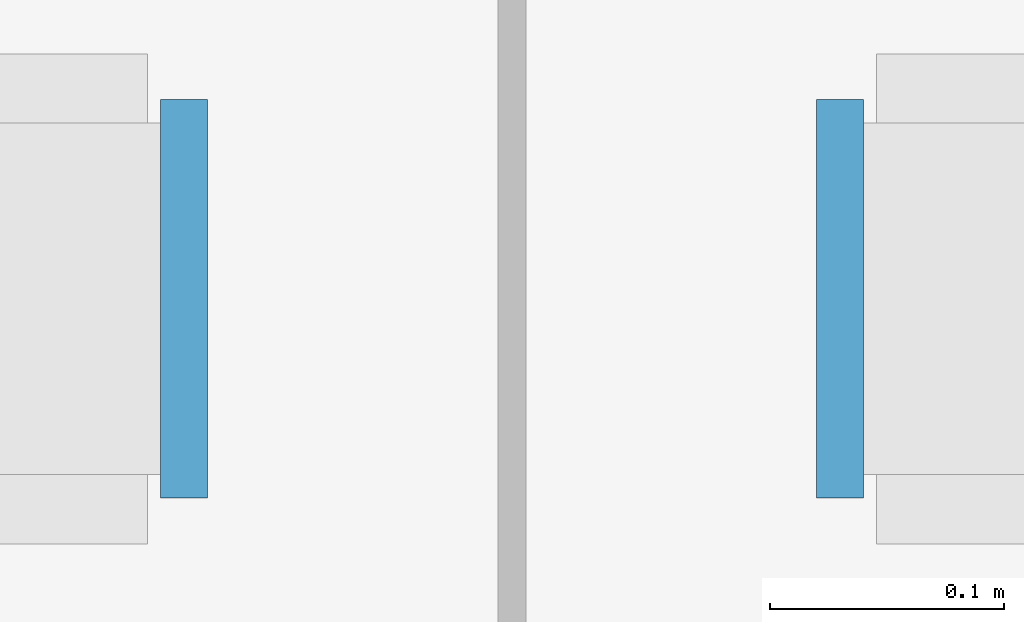
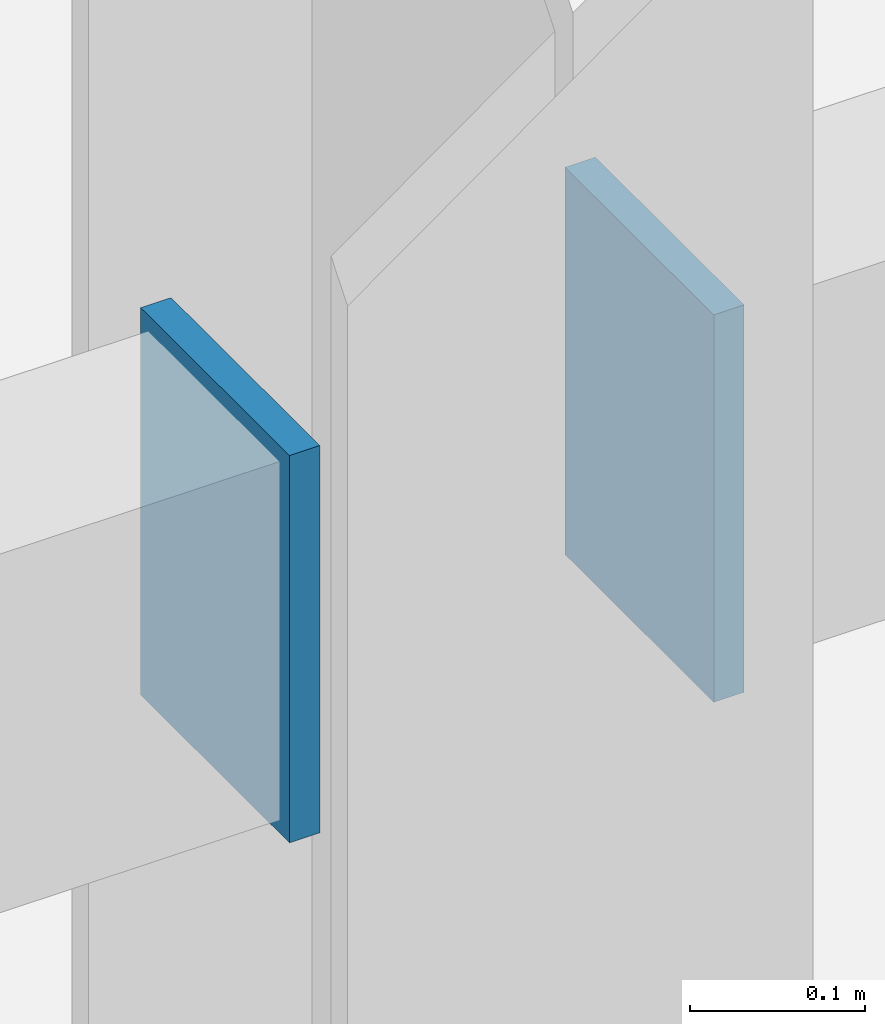
# One storey, part 156 of 188: 2 plates.
"""IFC4 building model written with IfcOpenShell, lengths in metres."""

from ifc_helpers import new_model, si_unit, direction, frame, origin, origin_2d, place, context, subcontext, project, spatial, rectangle, extrude, material, layer, layer_set, type_object, element, save


model = new_model("IFC4")

# Units and contexts
model_context = context("Model", 3, precision=1e-05, world=origin(), true_north=direction((0.0, 1.0)))
body_context = subcontext(model_context, "Body", "Model", "MODEL_VIEW")
ifc_project = project(units=[si_unit("LENGTHUNIT", "METRE"), si_unit("AREAUNIT", "SQUARE_METRE"), si_unit("VOLUMEUNIT", "CUBIC_METRE"), si_unit("PLANEANGLEUNIT", "RADIAN"), si_unit("MASSUNIT", "GRAM", prefix="KILO")], contexts=[model_context])

# Site, building, storey
site_placement = place(None, origin())
site = spatial("IfcSite", under=ifc_project, at=site_placement, CompositionType="ELEMENT")
building_placement = place(site_placement, origin())
building = spatial("IfcBuilding", under=site, at=building_placement, Name="Pandanus Reach Market Hall", CompositionType="ELEMENT")
storey_placement = place(building_placement, origin())
storey = spatial("IfcBuildingStorey", under=building, at=storey_placement, Name="L00", CompositionType="ELEMENT", Elevation=0.0)

# Plates
ifc_material = material(Name="Steel Grade 350 (350 MPa)", Category="steel")
ifc_layer = layer(ifc_material, 0.02001953125, Name="CP-PL20")
ifc_layer_set = layer_set([ifc_layer], Name="Steel Grade 350 (350 MPa)")
plate_type = type_object("IfcPlateType", Name="CP-PL20", PredefinedType="SHEET", material=ifc_layer_set)
for number, where, z_axis, x_axis, name in (
    (1, (119.860107421875, 76.800048828125, 3.014892578125), (0.0, 0.0, 1.0), (1.0, 0.0, 0.0), "Hollow lintel end cap plate CP-PL20 11B"),
    (2, (120.139892578125, 76.800048828125, 3.014892578125), (0.0, 0.0, 1.0), (1.0, 0.0, 0.0), "Hollow lintel end cap plate CP-PL20 12A"),
):
    element("IfcPlate", number, at=place(storey_placement, frame(where, z_axis=z_axis, x_axis=x_axis)), inside=storey, type_object=plate_type, Name=name, PredefinedType="SHEET", context=body_context, shape_type="SweptSolid", body=[
        extrude(rectangle(XDim=0.02001953125, YDim=0.169921875, at=origin_2d()), origin(), (0.0, 0.0, 1.0), 0.27001953125),
    ])

save(model, "model.ifc")
